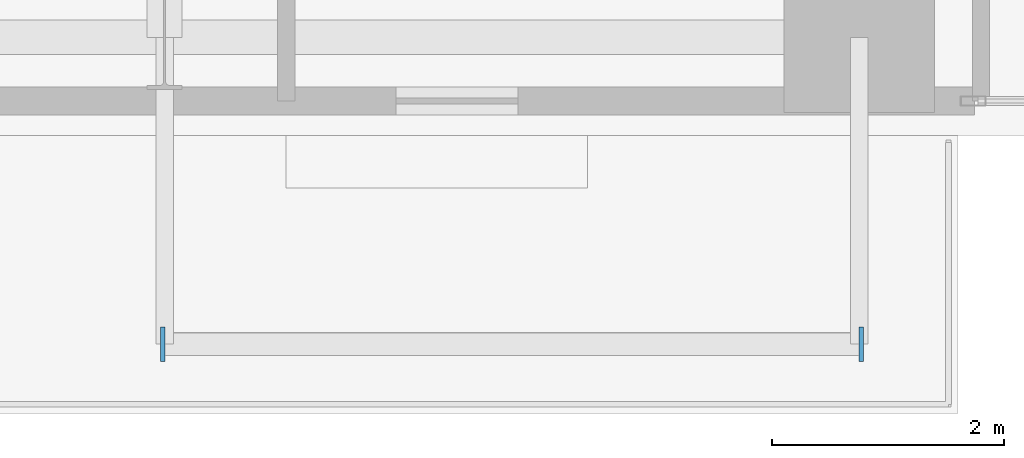
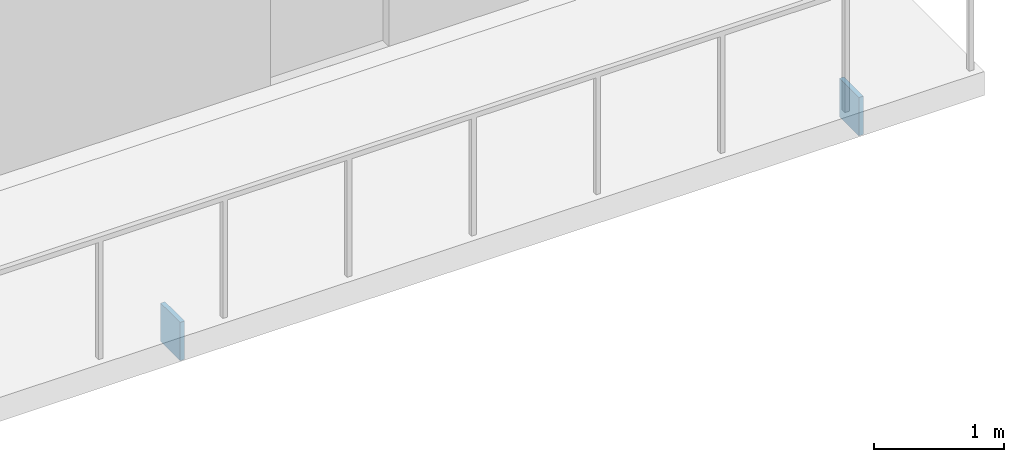
# One storey, part 19 of 27: 2 plates.
"""IFC4 building model written with IfcOpenShell, lengths in metres."""

from ifc_helpers import new_model, si_unit, direction, frame, origin, origin_2d, place, context, subcontext, project, spatial, rectangle, extrude, material, layer, layer_set, type_object, element, save


model = new_model("IFC4")

# Units and contexts
model_context = context("Model", 3, precision=1e-05, world=origin(), true_north=direction((0.0, 1.0)))
body_context = subcontext(model_context, "Body", "Model", "MODEL_VIEW")
ifc_project = project(units=[si_unit("LENGTHUNIT", "METRE"), si_unit("AREAUNIT", "SQUARE_METRE"), si_unit("VOLUMEUNIT", "CUBIC_METRE"), si_unit("PLANEANGLEUNIT", "RADIAN"), si_unit("MASSUNIT", "GRAM", prefix="KILO"), si_unit("THERMODYNAMICTEMPERATUREUNIT", "KELVIN"), si_unit("POWERUNIT", "WATT")], contexts=[model_context])

# Site, building, storey
site_placement = place(None, origin())
site = spatial("IfcSite", under=ifc_project, at=site_placement, CompositionType="ELEMENT")
building_placement = place(site_placement, origin())
building = spatial("IfcBuilding", under=site, at=building_placement, Name="Svarakhadi Broadcast Tower", CompositionType="ELEMENT")
storey_placement = place(building_placement, frame((0.0, 0.0, 59.699951171875)))
storey = spatial("IfcBuildingStorey", under=building, at=storey_placement, Name="L13", CompositionType="ELEMENT", Elevation=59.699951171875)

# Plates
ifc_material = material(Name="Steel S460ML (IS 2062 E450BR)", Category="steel")
ifc_layer = layer(ifc_material, 0.028076171875)
ifc_layer_set = layer_set([ifc_layer], Name="Steel S460ML (IS 2062 E450BR)")
plate_type = type_object("IfcPlateType", Name="Cap_Plate_CP02", PredefinedType="USERDEFINED", material=ifc_layer_set)
for number, where, z_axis, x_axis, name in (
    (1, (41.135009765625, -1.800048828125, -0.580078125), (0.0, 0.0, 1.0), (1.0, 0.0, 0.0), "L13 Balcony Spandrel End Cap Plate 1F-A"),
    (2, (47.1650390625, -1.800048828125, -0.580078125), (0.0, 0.0, 1.0), (1.0, 0.0, 0.0), "L13 Balcony Spandrel End Cap Plate 1F-B"),
):
    element("IfcPlate", number, at=place(storey_placement, frame(where, z_axis=z_axis, x_axis=x_axis)), inside=storey, type_object=plate_type, Name=name, ObjectType="FLANGE_PLATE", PredefinedType="USERDEFINED", context=body_context, shape_type="SweptSolid", body=[
        extrude(rectangle(XDim=0.0400390625, YDim=0.300048828125, at=origin_2d()), origin(), (0.0, 0.0, 1.0), 0.360107421875),
    ])

save(model, "model.ifc")
